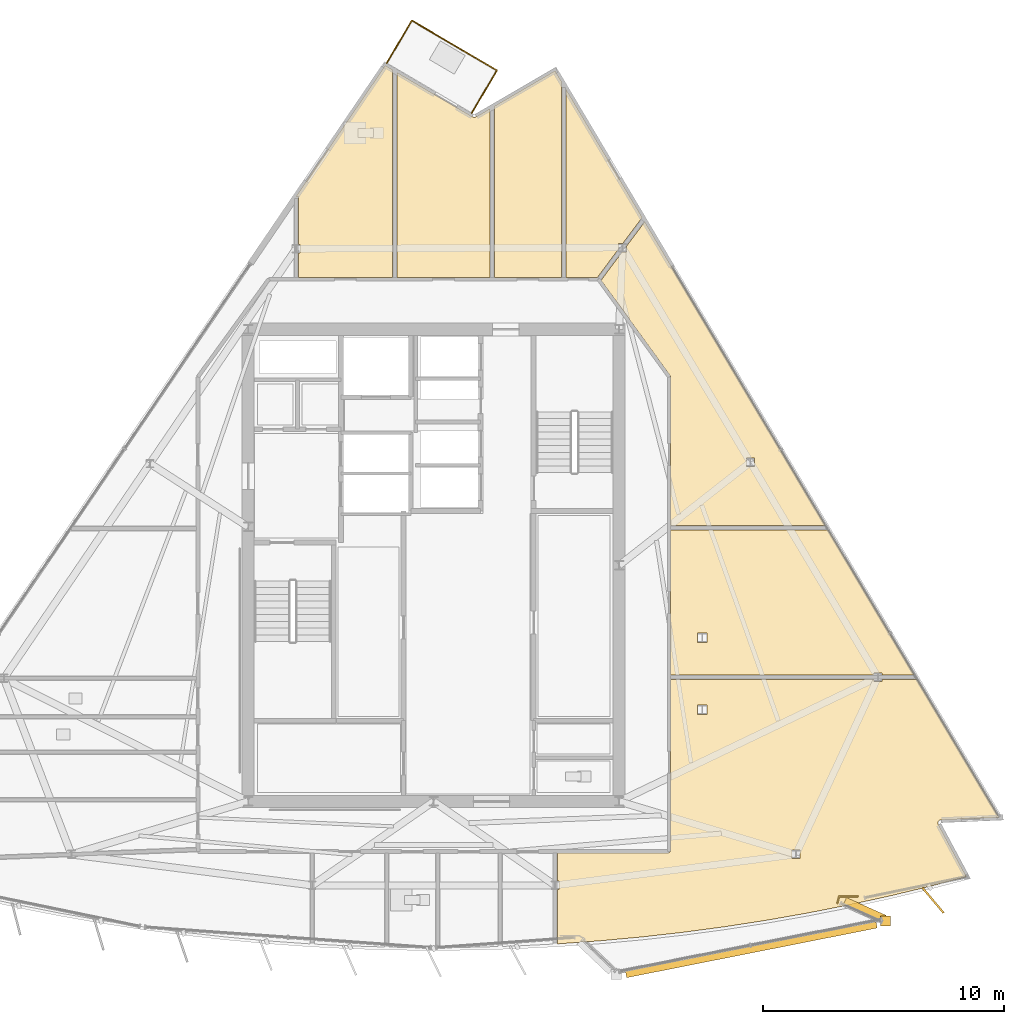
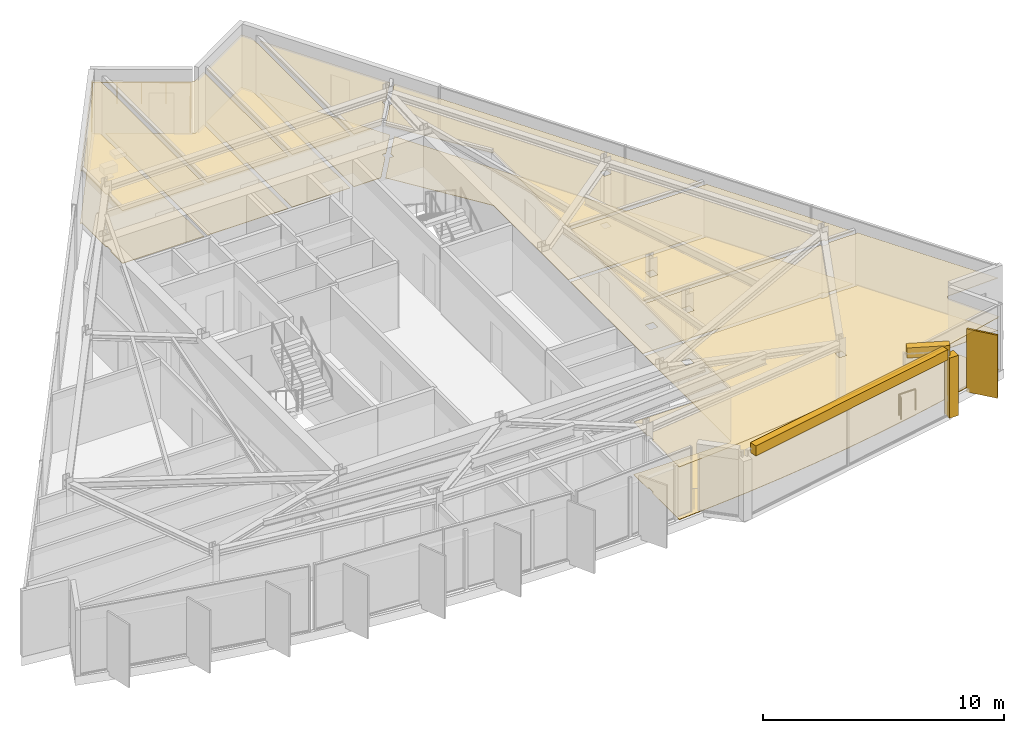
# One storey, part 13 of 14: 17 coverings, 4 railings, 1 shading device.
"""IFC4 building model written with IfcOpenShell, lengths in metres."""

from ifc_helpers import new_model, si_unit, direction, frame, origin, origin_2d, place, context, subcontext, project, spatial, polyline, rectangle, circle, outline, extrude, material, layer, layer_set, type_object, element, save


model = new_model("IFC4")

# Units and contexts
model_context = context("Model", 3, precision=1e-05, world=origin(), true_north=direction((0.0, 1.0)))
body_context = subcontext(model_context, "Body", "Model", "MODEL_VIEW")
ifc_project = project(units=[si_unit("LENGTHUNIT", "METRE"), si_unit("AREAUNIT", "SQUARE_METRE"), si_unit("VOLUMEUNIT", "CUBIC_METRE"), si_unit("PLANEANGLEUNIT", "RADIAN"), si_unit("MASSUNIT", "GRAM", prefix="KILO")], contexts=[model_context])

# Site, building, storey
site_placement = place(None, origin())
site = spatial("IfcSite", under=ifc_project, at=site_placement, CompositionType="ELEMENT")
building_placement = place(site_placement, origin())
building = spatial("IfcBuilding", under=site, at=building_placement, Name="Savorim Split Tower", CompositionType="ELEMENT")
storey_placement = place(building_placement, frame((0.0, 0.0, 294.0)))
storey = spatial("IfcBuildingStorey", under=building, at=storey_placement, Name="L78", CompositionType="ELEMENT", Elevation=294.0)

# Coverings
ifc_material_1 = material(Name="Mineral Fibre Acoustic Ceiling")
ifc_layer_1 = layer(ifc_material_1, 0.02490234375)
ifc_layer_set_1 = layer_set([ifc_layer_1], Name="COV-CEIL-25")
covering_type_1 = type_object("IfcCoveringType", Name="COV-CEIL-25", PredefinedType="CEILING", material=ifc_layer_set_1)
covering_1_placement = place(storey_placement, frame((0.0, 0.0, 2.659912109375)))
element("IfcCovering", 1, at=covering_1_placement, inside=storey, type_object=covering_type_1, Name="L78 Maker Workshop Acoustic Ceiling", PredefinedType="CEILING", context=body_context, shape_type="SweptSolid", body=[
    extrude(outline(polyline([(21.022705078125, -10.172119140625), (21.033935546875, -10.169921875), (21.04541015625, -10.168701171875), (23.469970703125, -10.065673828125), (20.04248046875, -4.302001953125), (20.04248046875, -4.3349609375), (18.610107421875, -4.3349609375), (18.610107421875, -4.414794921875), (18.28125, -4.414794921875), (18.28125, -4.3349609375), (9.840087890625, -4.3349609375), (9.840087890625, -11.39990234375), (9.83935546875, -11.413818359375), (9.83740234375, -11.42724609375), (9.833984375, -11.440673828125), (9.829345703125, -11.45361328125), (9.823486328125, -11.466064453125), (9.81640625, -11.477783203125), (9.80810546875, -11.48876953125), (9.799072265625, -11.4990234375), (9.788818359375, -11.50830078125), (9.77783203125, -11.516357421875), (9.76611328125, -11.5234375), (9.753662109375, -11.529296875), (9.740478515625, -11.533935546875), (9.727294921875, -11.537353515625), (9.713623046875, -11.539306640625), (9.699951171875, -11.5400390625), (5.134765625, -11.5400390625), (5.134765625, -12.710205078125), (5.2041015625, -12.710205078125), (5.2041015625, -13.06005859375), (5.134765625, -13.06005859375), (5.134765625, -15.267333984375), (5.134765625, -15.3125), (5.1953125, -15.3095703125), (6.923583984375, -15.185546875), (8.649169921875, -15.026123046875), (10.37109375, -14.83154296875), (12.088623046875, -14.601806640625), (13.801025390625, -14.3369140625), (15.5078125, -14.036865234375), (17.2080078125, -13.7021484375), (18.90087890625, -13.332763671875), (20.5859375, -12.9287109375), (22.1162109375, -12.528564453125), (20.94482421875, -10.345458984375), (20.93994140625, -10.3349609375), (20.93603515625, -10.32421875), (20.93310546875, -10.31298828125), (20.931396484375, -10.301513671875), (20.9306640625, -10.2900390625), (20.930908203125, -10.278564453125), (20.9326171875, -10.26708984375), (20.935302734375, -10.255859375), (20.93896484375, -10.244873046875), (20.943603515625, -10.234375), (20.94921875, -10.224365234375), (20.9560546875, -10.21484375), (20.96337890625, -10.206298828125), (20.9716796875, -10.1982421875), (20.98095703125, -10.19091796875), (20.990478515625, -10.184814453125), (21.0009765625, -10.179443359375), (21.01171875, -10.17529296875), (21.022705078125, -10.172119140625)]), holes=[polyline([(14.872802734375, -11.426513671875), (14.872802734375, -11.776611328125), (15.20166015625, -11.776611328125), (15.20166015625, -11.426513671875), (14.872802734375, -11.426513671875)]), polyline([(11.344970703125, -5.405029296875), (10.955078125, -5.405029296875), (10.955078125, -5.794921875), (11.344970703125, -5.794921875), (11.344970703125, -5.405029296875)])]), origin(), (0.0, 0.0, 1.0), 0.025146484375),
])
covering_2_placement = place(storey_placement, frame((0.0, 0.0, 2.659912109375)))
element("IfcCovering", 2, at=covering_2_placement, inside=storey, type_object=covering_type_1, Name="L78 Maker Workshop Acoustic Ceiling", PredefinedType="CEILING", context=body_context, shape_type="SweptSolid", body=[
    extrude(outline(polyline([(18.610107421875, -4.06494140625), (18.610107421875, -4.14501953125), (19.947509765625, -4.14501953125), (19.94921875, -4.14501953125), (16.37890625, 1.859375), (9.840087890625, 1.859375), (9.840087890625, -4.14501953125), (18.28125, -4.14501953125), (18.28125, -4.06494140625), (18.610107421875, -4.06494140625)]), holes=[polyline([(10.955078125, -2.405029296875), (10.955078125, -2.794921875), (11.344970703125, -2.794921875), (11.344970703125, -2.405029296875), (10.955078125, -2.405029296875)])]), origin(), (0.0, 0.0, 1.0), 0.025146484375),
])
covering_3_placement = place(storey_placement, frame((0.0, 0.0, 2.659912109375)))
element("IfcCovering", 3, at=covering_3_placement, inside=storey, type_object=covering_type_1, Name="L78 Co-Working Commons Acoustic Ceiling", PredefinedType="CEILING", context=body_context, shape_type="SweptSolid", body=[
    extrude(outline(polyline([(9.8369140625, 8.22900390625), (9.839111328125, 8.214599609375), (9.840087890625, 8.199951171875), (9.840087890625, 2.04931640625), (16.26611328125, 2.04931640625), (8.764404296875, 14.665283203125), (8.00732421875, 13.65234375), (8.00732421875, 13.416015625), (7.830810546875, 13.416015625), (6.9619140625, 12.25341796875), (6.94775390625, 12.234619140625), (9.813232421875, 8.2822265625), (9.8212890625, 8.27001953125), (9.827880859375, 8.2568359375), (9.833251953125, 8.2431640625), (9.8369140625, 8.22900390625)]), holes=[polyline([(12.979736328125, 4.8505859375), (12.979736328125, 4.50048828125), (13.308837890625, 4.50048828125), (13.308837890625, 4.8505859375), (12.979736328125, 4.8505859375)])]), origin(), (0.0, 0.0, 1.0), 0.025146484375),
])
covering_4_placement = place(storey_placement, frame((0.0, 0.0, 2.659912109375)))
element("IfcCovering", 4, at=covering_4_placement, inside=storey, type_object=covering_type_1, Name="L78 Quiet Study Room Acoustic Ceiling", PredefinedType="CEILING", context=body_context, shape_type="SweptSolid", body=[
    extrude(outline(polyline([(7.85498046875, 13.76611328125), (8.603271484375, 14.76708984375), (8.6591796875, 14.842041015625), (5.491943359375, 20.16845703125), (5.491943359375, 12.340087890625), (6.789306640625, 12.340087890625), (7.678466796875, 13.529541015625), (7.678466796875, 13.76611328125), (7.85498046875, 13.76611328125)])), origin(), (0.0, 0.0, 1.0), 0.025146484375),
])
covering_5_placement = place(storey_placement, frame((0.0, 0.0, 2.659912109375)))
element("IfcCovering", 5, at=covering_5_placement, inside=storey, type_object=covering_type_1, Name="L78 Quiet Study Room Acoustic Ceiling", PredefinedType="CEILING", context=body_context, shape_type="SweptSolid", body=[
    extrude(outline(polyline([(5.302001953125, 12.340087890625), (5.302001953125, 20.488037109375), (5.039794921875, 20.92919921875), (2.523681640625, 19.462890625), (2.523681640625, 12.340087890625), (5.302001953125, 12.340087890625)])), origin(), (0.0, 0.0, 1.0), 0.025146484375),
])
covering_6_placement = place(storey_placement, frame((0.0, 0.0, 2.659912109375)))
element("IfcCovering", 6, at=covering_6_placement, inside=storey, type_object=covering_type_1, Name="L78 Quiet Study Room Acoustic Ceiling", PredefinedType="CEILING", context=body_context, shape_type="SweptSolid", body=[
    extrude(outline(polyline([(1.64794921875, 19.00146484375), (1.63720703125, 19.005859375), (1.626953125, 19.010986328125), (-1.521484375, 20.86181640625), (-1.521484375, 12.340087890625), (2.33349609375, 12.340087890625), (2.33349609375, 19.35205078125), (1.748291015625, 19.010986328125), (1.738037109375, 19.005615234375), (1.727294921875, 19.001220703125), (1.71630859375, 18.998046875), (1.704833984375, 18.995849609375), (1.693359375, 18.99462890625), (1.681884765625, 18.99462890625), (1.67041015625, 18.995849609375), (1.658935546875, 18.998046875), (1.64794921875, 19.00146484375)])), origin(), (0.0, 0.0, 1.0), 0.025146484375),
])
covering_7_placement = place(storey_placement, frame((0.0, 0.0, 2.659912109375)))
element("IfcCovering", 7, at=covering_7_placement, inside=storey, type_object=covering_type_1, Name="L78 Shared Bathroom Acoustic Ceiling", PredefinedType="CEILING", context=body_context, shape_type="SweptSolid", body=[
    extrude(outline(polyline([(-5.615234375, 12.340087890625), (-1.711669921875, 12.340087890625), (-1.711669921875, 20.973388671875), (-2.01171875, 21.149658203125), (-5.7060546875, 15.71875), (-5.615234375, 15.71875), (-5.615234375, 13.71728515625), (-5.545654296875, 13.71728515625), (-5.545654296875, 13.3671875), (-5.615234375, 13.3671875), (-5.615234375, 12.340087890625)])), origin(), (0.0, 0.0, 1.0), 0.025146484375),
])
ifc_material_2 = material(Name="Porcelain Stoneware Flooring", Category="masonry")
ifc_layer_2 = layer(ifc_material_2, 0.02001953125)
ifc_layer_set_2 = layer_set([ifc_layer_2], Name="COV-FLOR-20")
covering_type_2 = type_object("IfcCoveringType", Name="COV-FLOR-20", PredefinedType="FLOORING", material=ifc_layer_set_2)
covering_8_placement = place(storey_placement, origin())
element("IfcCovering", 8, at=covering_8_placement, inside=storey, type_object=covering_type_2, Name="L78 Maker Workshop Porcelain Flooring", PredefinedType="FLOORING", context=body_context, shape_type="SweptSolid", body=[
    extrude(outline(polyline([(21.022705078125, -10.172119140625), (21.033935546875, -10.169921875), (21.04541015625, -10.168701171875), (23.469970703125, -10.065673828125), (20.04248046875, -4.302001953125), (20.04248046875, -4.3349609375), (18.610107421875, -4.3349609375), (18.610107421875, -4.414794921875), (18.28125, -4.414794921875), (18.28125, -4.3349609375), (9.840087890625, -4.3349609375), (9.840087890625, -11.39990234375), (9.83935546875, -11.413818359375), (9.83740234375, -11.42724609375), (9.833984375, -11.440673828125), (9.829345703125, -11.45361328125), (9.823486328125, -11.466064453125), (9.81640625, -11.477783203125), (9.80810546875, -11.48876953125), (9.799072265625, -11.4990234375), (9.788818359375, -11.50830078125), (9.77783203125, -11.516357421875), (9.76611328125, -11.5234375), (9.753662109375, -11.529296875), (9.740478515625, -11.533935546875), (9.727294921875, -11.537353515625), (9.713623046875, -11.539306640625), (9.699951171875, -11.5400390625), (5.134765625, -11.5400390625), (5.134765625, -12.710205078125), (5.2041015625, -12.710205078125), (5.2041015625, -13.06005859375), (5.134765625, -13.06005859375), (5.134765625, -15.267333984375), (5.134765625, -15.3125), (5.1953125, -15.3095703125), (6.923583984375, -15.185546875), (8.649169921875, -15.026123046875), (10.37109375, -14.83154296875), (12.088623046875, -14.601806640625), (13.801025390625, -14.3369140625), (15.5078125, -14.036865234375), (17.2080078125, -13.7021484375), (18.90087890625, -13.332763671875), (20.5859375, -12.9287109375), (22.1162109375, -12.528564453125), (20.94482421875, -10.345458984375), (20.93994140625, -10.3349609375), (20.93603515625, -10.32421875), (20.93310546875, -10.31298828125), (20.931396484375, -10.301513671875), (20.9306640625, -10.2900390625), (20.930908203125, -10.278564453125), (20.9326171875, -10.26708984375), (20.935302734375, -10.255859375), (20.93896484375, -10.244873046875), (20.943603515625, -10.234375), (20.94921875, -10.224365234375), (20.9560546875, -10.21484375), (20.96337890625, -10.206298828125), (20.9716796875, -10.1982421875), (20.98095703125, -10.19091796875), (20.990478515625, -10.184814453125), (21.0009765625, -10.179443359375), (21.01171875, -10.17529296875), (21.022705078125, -10.172119140625)]), holes=[polyline([(14.872802734375, -11.426513671875), (14.872802734375, -11.776611328125), (15.20166015625, -11.776611328125), (15.20166015625, -11.426513671875), (14.872802734375, -11.426513671875)]), polyline([(11.344970703125, -5.405029296875), (10.955078125, -5.405029296875), (10.955078125, -5.794921875), (11.344970703125, -5.794921875), (11.344970703125, -5.405029296875)])]), origin(), (0.0, 0.0, 1.0), 0.02001953125),
])
covering_9_placement = place(storey_placement, origin())
element("IfcCovering", 9, at=covering_9_placement, inside=storey, type_object=covering_type_2, Name="L78 Maker Workshop Porcelain Flooring", PredefinedType="FLOORING", context=body_context, shape_type="SweptSolid", body=[
    extrude(outline(polyline([(18.610107421875, -4.06494140625), (18.610107421875, -4.14501953125), (19.947509765625, -4.14501953125), (19.94921875, -4.14501953125), (16.37890625, 1.859375), (9.840087890625, 1.859375), (9.840087890625, -4.14501953125), (18.28125, -4.14501953125), (18.28125, -4.06494140625), (18.610107421875, -4.06494140625)]), holes=[polyline([(10.955078125, -2.405029296875), (10.955078125, -2.794921875), (11.344970703125, -2.794921875), (11.344970703125, -2.405029296875), (10.955078125, -2.405029296875)])]), origin(), (0.0, 0.0, 1.0), 0.02001953125),
])
covering_10_placement = place(storey_placement, origin())
element("IfcCovering", 10, at=covering_10_placement, inside=storey, type_object=covering_type_2, Name="L78 Co-Working Commons Porcelain Flooring", PredefinedType="FLOORING", context=body_context, shape_type="SweptSolid", body=[
    extrude(outline(polyline([(9.8369140625, 8.22900390625), (9.839111328125, 8.214599609375), (9.840087890625, 8.199951171875), (9.840087890625, 2.04931640625), (16.26611328125, 2.04931640625), (8.764404296875, 14.665283203125), (8.00732421875, 13.65234375), (8.00732421875, 13.416015625), (7.830810546875, 13.416015625), (6.9619140625, 12.25341796875), (6.94775390625, 12.234619140625), (9.813232421875, 8.2822265625), (9.8212890625, 8.27001953125), (9.827880859375, 8.2568359375), (9.833251953125, 8.2431640625), (9.8369140625, 8.22900390625)]), holes=[polyline([(12.979736328125, 4.8505859375), (12.979736328125, 4.50048828125), (13.308837890625, 4.50048828125), (13.308837890625, 4.8505859375), (12.979736328125, 4.8505859375)])]), origin(), (0.0, 0.0, 1.0), 0.02001953125),
])
covering_11_placement = place(storey_placement, origin())
element("IfcCovering", 11, at=covering_11_placement, inside=storey, type_object=covering_type_2, Name="L78 Quiet Study Room Porcelain Flooring", PredefinedType="FLOORING", context=body_context, shape_type="SweptSolid", body=[
    extrude(outline(polyline([(7.85498046875, 13.76611328125), (8.603271484375, 14.76708984375), (8.6591796875, 14.842041015625), (5.491943359375, 20.16845703125), (5.491943359375, 12.340087890625), (6.789306640625, 12.340087890625), (7.678466796875, 13.529541015625), (7.678466796875, 13.76611328125), (7.85498046875, 13.76611328125)])), origin(), (0.0, 0.0, 1.0), 0.02001953125),
])
covering_12_placement = place(storey_placement, origin())
element("IfcCovering", 12, at=covering_12_placement, inside=storey, type_object=covering_type_2, Name="L78 Quiet Study Room Porcelain Flooring", PredefinedType="FLOORING", context=body_context, shape_type="SweptSolid", body=[
    extrude(outline(polyline([(5.302001953125, 12.340087890625), (5.302001953125, 20.488037109375), (5.039794921875, 20.92919921875), (2.523681640625, 19.462890625), (2.523681640625, 12.340087890625), (5.302001953125, 12.340087890625)])), origin(), (0.0, 0.0, 1.0), 0.02001953125),
])
covering_13_placement = place(storey_placement, origin())
element("IfcCovering", 13, at=covering_13_placement, inside=storey, type_object=covering_type_2, Name="L78 Quiet Study Room Porcelain Flooring", PredefinedType="FLOORING", context=body_context, shape_type="SweptSolid", body=[
    extrude(outline(polyline([(1.64794921875, 19.00146484375), (1.63720703125, 19.005859375), (1.626953125, 19.010986328125), (-1.521484375, 20.86181640625), (-1.521484375, 12.340087890625), (2.33349609375, 12.340087890625), (2.33349609375, 19.35205078125), (1.748291015625, 19.010986328125), (1.738037109375, 19.005615234375), (1.727294921875, 19.001220703125), (1.71630859375, 18.998046875), (1.704833984375, 18.995849609375), (1.693359375, 18.99462890625), (1.681884765625, 18.99462890625), (1.67041015625, 18.995849609375), (1.658935546875, 18.998046875), (1.64794921875, 19.00146484375)])), origin(), (0.0, 0.0, 1.0), 0.02001953125),
])
covering_14_placement = place(storey_placement, origin())
element("IfcCovering", 14, at=covering_14_placement, inside=storey, type_object=covering_type_2, Name="L78 Shared Bathroom Porcelain Flooring", PredefinedType="FLOORING", context=body_context, shape_type="SweptSolid", body=[
    extrude(outline(polyline([(-5.615234375, 12.340087890625), (-1.711669921875, 12.340087890625), (-1.711669921875, 20.973388671875), (-2.01171875, 21.149658203125), (-5.7060546875, 15.71875), (-5.615234375, 15.71875), (-5.615234375, 13.71728515625), (-5.545654296875, 13.71728515625), (-5.545654296875, 13.3671875), (-5.615234375, 13.3671875), (-5.615234375, 12.340087890625)])), origin(), (0.0, 0.0, 1.0), 0.02001953125),
])
ifc_material_3 = material(Name="White Porcelain Architectural Cladding")
ifc_layer_3 = layer(ifc_material_3, 0.139892578125)
ifc_layer_set_3 = layer_set([ifc_layer_3], Name="COV-FRM-WHITE")
covering_type_3 = type_object("IfcCoveringType", Name="COV-FRM-WHITE", PredefinedType="CLADDING", material=ifc_layer_set_3)
covering_15_placement = place(storey_placement, frame((0.0, 0.0, 3.080078125)))
element("IfcCovering", 15, at=covering_15_placement, inside=storey, type_object=covering_type_3, Name="L78 Cantilevered Lounge White Upper Cornice Band F", PredefinedType="CLADDING", context=body_context, shape_type="SweptSolid", body=[
    extrude(outline(polyline([(8.013916015625, -16.717529296875), (18.414306640625, -14.655517578125), (18.34814453125, -14.322021484375), (7.94775390625, -16.384033203125), (8.013916015625, -16.717529296875)])), origin(), (0.0, 0.0, 1.0), 0.510009765625),
])
covering_16_placement = place(storey_placement, frame((0.0, 0.0, 3.080078125)))
element("IfcCovering", 16, at=covering_16_placement, inside=storey, type_object=covering_type_3, Name="L78 Cantilevered Lounge White Upper Cornice Band E", PredefinedType="CLADDING", context=body_context, shape_type="SweptSolid", body=[
    extrude(outline(polyline([(18.78076171875, -14.12841796875), (17.138427734375, -13.391845703125), (16.999267578125, -13.701904296875), (18.6416015625, -14.438720703125), (18.78076171875, -14.12841796875)])), origin(), (0.0, 0.0, 1.0), 0.510009765625),
])
covering_17_placement = place(storey_placement, frame((0.0, 0.0, 0.010009765625)))
element("IfcCovering", 17, at=covering_17_placement, inside=storey, type_object=covering_type_3, Name="L78 Cantilevered Lounge White Frame Corner Post 2", PredefinedType="CLADDING", context=body_context, shape_type="SweptSolid", body=[
    extrude(outline(polyline([(18.5537109375, -14.572021484375), (18.973876953125, -14.572021484375), (18.973876953125, -14.15185546875), (18.5537109375, -14.15185546875), (18.5537109375, -14.572021484375)])), origin(), (0.0, 0.0, 1.0), 3.050048828125),
])

# Railings
ifc_material_4 = material(Name="Galvanised Painted Steel Balustrade", Category="steel")
railing_type = type_object("IfcRailingType", Name="RLG-BAL-1100", PredefinedType="BALUSTRADE", material=ifc_material_4)
railing_1_placement = place(storey_placement, frame((16.761474609375, -13.618408203125, 0.0)))
element("IfcRailing", 18, at=railing_1_placement, inside=storey, type_object=railing_type, Name="L78 Cantilevered Lounge East Edge Closure Guard", PredefinedType="BALUSTRADE", context=body_context, shape_type="SweptSolid", body=[
    extrude(circle(Radius=0.02392578125, at=origin_2d()), frame((0.0, 0.0, 1.076171875), z_axis=(0.240297760194, 0.970699225531, 0.0), x_axis=(-0.970699225531, 0.240297760194, 0.0)), (0.0, 0.0, 1.0), 0.282470703125),
    extrude(circle(Radius=0.02392578125, at=origin_2d()), frame((0.06787109375, 0.274169921875, 1.076171875), z_axis=(1.0, 0.0, 0.0), x_axis=(0.0, 1.0, 0.0)), (0.0, 0.0, 1.0), 0.780029296875),
    extrude(circle(Radius=0.02099609375, at=origin_2d()), origin(), (0.0, 0.0, 1.0), 1.052001953125),
    extrude(circle(Radius=0.02099609375, at=origin_2d()), frame((0.06787109375, 0.274169921875, 0.0)), (0.0, 0.0, 1.0), 1.052001953125),
    extrude(circle(Radius=0.02099609375, at=origin_2d()), frame((0.847900390625, 0.274169921875, 0.0)), (0.0, 0.0, 1.0), 1.052001953125),
])
railing_2_placement = place(storey_placement, frame((-1.944091796875, 21.249267578125, 0.0)))
element("IfcRailing", 19, at=railing_2_placement, inside=storey, type_object=railing_type, Name="L78 Tree Balcony Guardrail N-1", PredefinedType="BALUSTRADE", context=body_context, shape_type="SweptSolid", body=[
    extrude(circle(Radius=0.02392578125, at=origin_2d()), frame((0.0, 0.0, 1.076171875), z_axis=(0.50664533146, 0.862154573211, 0.0), x_axis=(-0.862154573211, 0.50664533146, 0.0)), (0.0, 0.0, 1.0), 2.0498046875),
    extrude(circle(Radius=0.02099609375, at=origin_2d()), origin(), (0.0, 0.0, 1.0), 1.052001953125),
    extrude(circle(Radius=0.02099609375, at=origin_2d()), frame((0.519287109375, 0.8837890625, 0.0)), (0.0, 0.0, 1.0), 1.052001953125),
    extrude(circle(Radius=0.02099609375, at=origin_2d()), frame((1.03857421875, 1.767333984375, 0.0)), (0.0, 0.0, 1.0), 1.052001953125),
])
railing_3_placement = place(storey_placement, frame((-0.905517578125, 23.0166015625, 0.0)))
element("IfcRailing", 20, at=railing_3_placement, inside=storey, type_object=railing_type, Name="L78 Tree Balcony Guardrail N-2", PredefinedType="BALUSTRADE", context=body_context, shape_type="SweptSolid", body=[
    extrude(circle(Radius=0.02392578125, at=origin_2d()), frame((0.0, 0.0, 1.076171875), z_axis=(0.862136561329, -0.506675980899, 0.0), x_axis=(0.506675980899, 0.862136561329, 0.0)), (0.0, 0.0, 1.0), 4.0927734375),
    extrude(circle(Radius=0.02099609375, at=origin_2d()), origin(), (0.0, 0.0, 1.0), 1.052001953125),
    extrude(circle(Radius=0.02099609375, at=origin_2d()), frame((0.882080078125, -0.5185546875, 0.0)), (0.0, 0.0, 1.0), 1.052001953125),
    extrude(circle(Radius=0.02099609375, at=origin_2d()), frame((1.76416015625, -1.036865234375, 0.0)), (0.0, 0.0, 1.0), 1.052001953125),
    extrude(circle(Radius=0.02099609375, at=origin_2d()), frame((2.646484375, -1.55517578125, 0.0)), (0.0, 0.0, 1.0), 1.052001953125),
    extrude(circle(Radius=0.02099609375, at=origin_2d()), frame((3.528564453125, -2.07373046875, 0.0)), (0.0, 0.0, 1.0), 1.052001953125),
])
railing_4_placement = place(storey_placement, frame((2.623046875, 20.94287109375, 0.0)))
element("IfcRailing", 21, at=railing_4_placement, inside=storey, type_object=railing_type, Name="L78 Tree Balcony Guardrail N-3", PredefinedType="BALUSTRADE", context=body_context, shape_type="SweptSolid", body=[
    extrude(circle(Radius=0.02392578125, at=origin_2d()), frame((0.0, 0.0, 1.076171875), z_axis=(-0.506681829236, -0.862133124246, 0.0), x_axis=(0.862133124246, -0.506681829236, 0.0)), (0.0, 0.0, 1.0), 2.05029296875),
    extrude(circle(Radius=0.02099609375, at=origin_2d()), origin(), (0.0, 0.0, 1.0), 1.052001953125),
    extrude(circle(Radius=0.02099609375, at=origin_2d()), frame((-0.51953125, -0.8837890625, 0.0)), (0.0, 0.0, 1.0), 1.052001953125),
    extrude(circle(Radius=0.02099609375, at=origin_2d()), frame((-1.038818359375, -1.767578125, 0.0)), (0.0, 0.0, 1.0), 1.052001953125),
])

# Shading device
ifc_material_5 = material(Name="Terracotta Ceramic-Coated Aluminium Fin", Category="masonry")
shading_device_type = type_object("IfcShadingDeviceType", Name="SHD-FIN-1360", PredefinedType="USERDEFINED", material=ifc_material_5)
shading_device_placement = place(storey_placement, frame((20.73095703125, -13.5068359375, -0.2001953125), z_axis=(0.0, 0.0, 1.0), x_axis=(0.643719022682, -0.765261928909, 0.0)))
element("IfcShadingDevice", 22, at=shading_device_placement, inside=storey, type_object=shading_device_type, Name="L78 Sawtooth Shading Fin 13", ObjectType="FIN", PredefinedType="USERDEFINED", context=body_context, shape_type="SweptSolid", body=[
    extrude(rectangle(XDim=1.360107421875, YDim=0.080078125, at=origin_2d()), origin(), (0.0, 0.0, 1.0), 3.199951171875),
])

save(model, "model.ifc")
